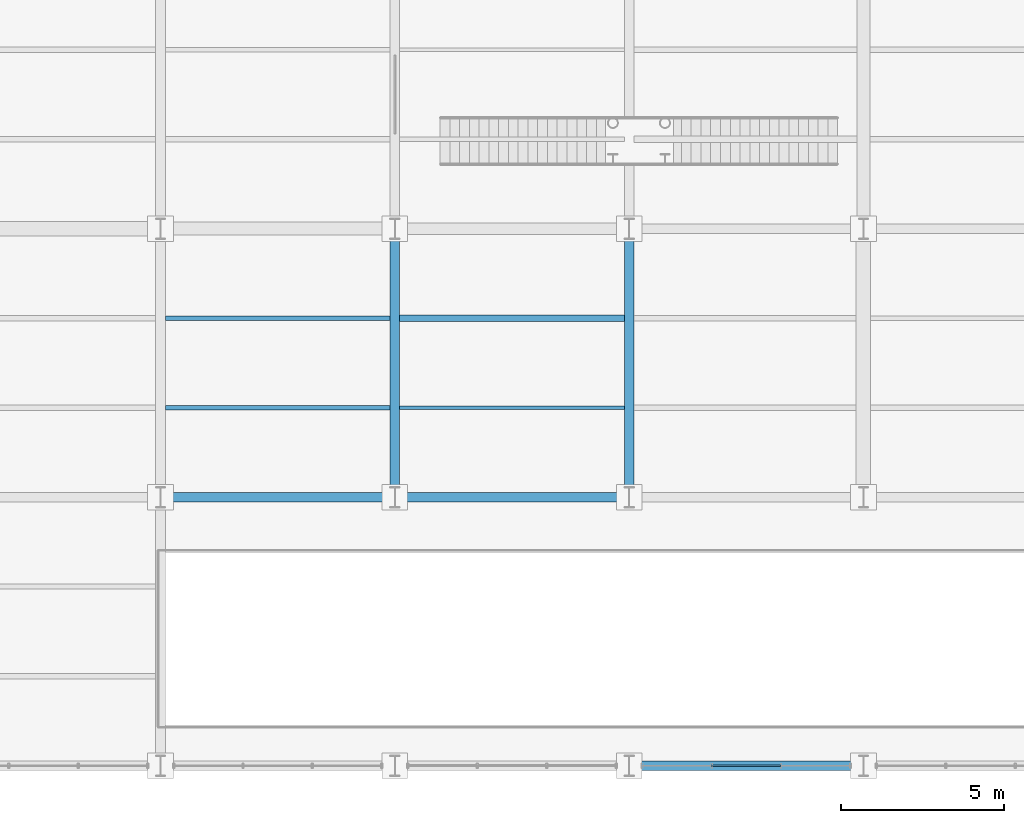
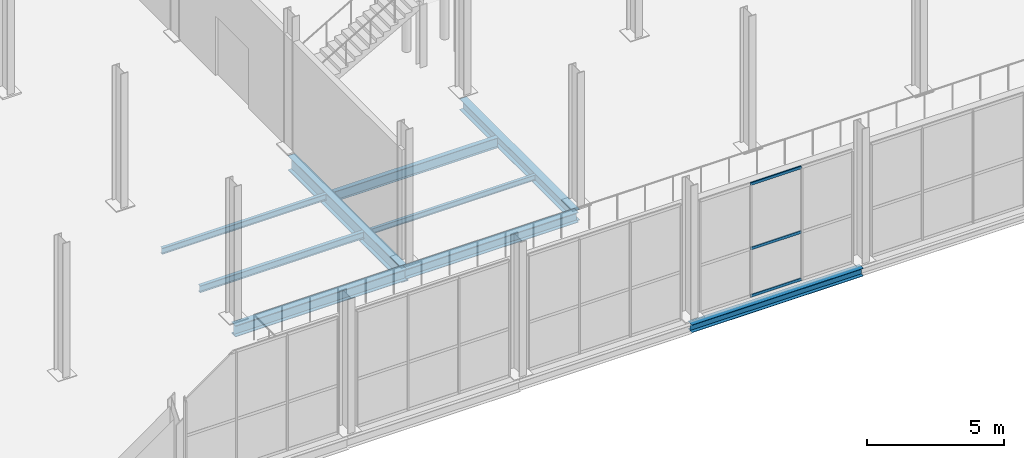
# One storey, part 79 of 144: 9 beams, 3 members, 1 element without a shape of its own.
"""IFC4 building model written with IfcOpenShell, lengths in metres."""

from ifc_helpers import new_model, si_unit, direction, frame, origin, origin_2d, place, context, subcontext, project, spatial, hollow_rectangle, i_section, extrude, material, layer, layer_set, material_profile, profile_set, type_object, element, aggregate, save


model = new_model("IFC4")

# Units and contexts
model_context = context("Model", 3, precision=1e-05, world=origin(), true_north=direction((0.0, 1.0)))
body_context = subcontext(model_context, "Body", "Model", "MODEL_VIEW")
ifc_project = project(units=[si_unit("LENGTHUNIT", "METRE"), si_unit("AREAUNIT", "SQUARE_METRE"), si_unit("VOLUMEUNIT", "CUBIC_METRE"), si_unit("PLANEANGLEUNIT", "RADIAN"), si_unit("MASSUNIT", "GRAM", prefix="KILO")], contexts=[model_context])

# Site, building, storey
site_placement = place(None, origin())
site = spatial("IfcSite", under=ifc_project, at=site_placement, CompositionType="ELEMENT")
building_placement = place(site_placement, origin())
building = spatial("IfcBuilding", under=site, at=building_placement, Name="Sundgate Opera House", CompositionType="ELEMENT")
storey_placement = place(building_placement, origin())
storey = spatial("IfcBuildingStorey", under=building, at=storey_placement, Name="L00", CompositionType="ELEMENT", Elevation=0.0)

# Beams
ifc_material_1 = material(Name="Steel S355J2", Category="steel")
ifc_material_profile_1 = material_profile(ifc_material_1, i_section(OverallWidth=0.300048828125, OverallDepth=0.35009765625, WebThickness=0.010009765625, FlangeThickness=0.017578125, at=origin_2d()), Name="HEA 360")
ifc_profile_set_1 = profile_set([ifc_material_profile_1], Name="Steel S355J2")
beam_type_1 = type_object("IfcBeamType", Name="BM-GR-HEA360", PredefinedType="BEAM", material=ifc_profile_set_1)
beam_1_placement = place(storey_placement, frame((138.60009765625, 0.0, -0.4951171875), z_axis=(1.0, 0.0, 0.0), x_axis=(0.0, 1.0, 0.0)))
element("IfcBeam", 1, at=beam_1_placement, inside=storey, type_object=beam_type_1, Name="L00 Primary E-W Girder B0334", PredefinedType="BEAM", context=body_context, shape_type="SweptSolid", body=[
    extrude(i_section(OverallWidth=0.300048828125, OverallDepth=0.35009765625, WebThickness=0.010009765625, FlangeThickness=0.017578125, at=origin_2d()), origin(), (0.0, 0.0, 1.0), 7.199951171875),
])
ifc_material_2 = material(Name="Steel S355J2", Category="steel")
ifc_material_profile_2 = material_profile(ifc_material_2, i_section(OverallWidth=0.300048828125, OverallDepth=0.489990234375, WebThickness=0.011962890625, FlangeThickness=0.02294921875, at=origin_2d()), Name="HEA 500")
ifc_profile_set_2 = profile_set([ifc_material_profile_2], Name="Steel S355J2")
beam_type_2 = type_object("IfcBeamType", Name="BM-GR-HEA500", PredefinedType="BEAM", material=ifc_profile_set_2)
beam_2_placement = place(storey_placement, frame((138.60009765625, 8.25, -0.56494140625), z_axis=(0.0, 1.0, 0.0), x_axis=(-1.0, 0.0, 0.0)))
element("IfcBeam", 2, at=beam_2_placement, inside=storey, type_object=beam_type_2, Name="L00 Primary N-S Girder B0266", PredefinedType="BEAM", context=body_context, shape_type="SweptSolid", body=[
    extrude(i_section(OverallWidth=0.300048828125, OverallDepth=0.489990234375, WebThickness=0.011962890625, FlangeThickness=0.02294921875, at=origin_2d()), origin(), (0.0, 0.0, 1.0), 8.25),
])
ifc_material_3 = material(Name="Steel S355J2", Category="steel")
ifc_material_profile_3 = material_profile(ifc_material_3, i_section(OverallWidth=0.300048828125, OverallDepth=0.449951171875, WebThickness=0.013916015625, FlangeThickness=0.02587890625, at=origin_2d()), Name="HEB 450")
ifc_profile_set_3 = profile_set([ifc_material_profile_3], Name="Steel S355J2")
beam_type_3 = type_object("IfcBeamType", Name="BM-GR-HEB450", PredefinedType="BEAM", material=ifc_profile_set_3)
beam_3_placement = place(storey_placement, frame((131.39990234375, 8.25, -0.544921875), z_axis=(1.0, 0.0, 0.0), x_axis=(0.0, 1.0, 0.0)))
element("IfcBeam", 3, at=beam_3_placement, inside=storey, type_object=beam_type_3, Name="L00 Primary E-W Girder B0349", PredefinedType="BEAM", context=body_context, shape_type="SweptSolid", body=[
    extrude(i_section(OverallWidth=0.300048828125, OverallDepth=0.449951171875, WebThickness=0.013916015625, FlangeThickness=0.02587890625, at=origin_2d()), origin(), (0.0, 0.0, 1.0), 7.2001953125),
])
ifc_material_4 = material(Name="Steel S355J2", Category="steel")
ifc_material_profile_4 = material_profile(ifc_material_4, i_section(OverallWidth=0.300048828125, OverallDepth=0.5, WebThickness=0.014404296875, FlangeThickness=0.028076171875, at=origin_2d()), Name="HEB 500")
ifc_profile_set_4 = profile_set([ifc_material_profile_4], Name="Steel S355J2")
beam_type_4 = type_object("IfcBeamType", Name="BM-GR-HEB500", PredefinedType="BEAM", material=ifc_profile_set_4)
beam_4_placement = place(storey_placement, frame((124.199951171875, 8.25, -0.570068359375), z_axis=(1.0, 0.0, 0.0), x_axis=(0.0, 1.0, 0.0)))
element("IfcBeam", 4, at=beam_4_placement, inside=storey, type_object=beam_type_4, Name="L00 Primary E-W Girder B0348", PredefinedType="BEAM", context=body_context, shape_type="SweptSolid", body=[
    extrude(i_section(OverallWidth=0.300048828125, OverallDepth=0.5, WebThickness=0.014404296875, FlangeThickness=0.028076171875, at=origin_2d()), origin(), (0.0, 0.0, 1.0), 7.199951171875),
])
ifc_material_5 = material(Name="Steel S355J2", Category="steel")
ifc_material_profile_5 = material_profile(ifc_material_5, i_section(OverallWidth=0.300048828125, OverallDepth=0.64990234375, WebThickness=0.01611328125, FlangeThickness=0.031005859375, at=origin_2d()), Name="HEB 650")
ifc_profile_set_5 = profile_set([ifc_material_profile_5], Name="Steel S355J2")
beam_type_5 = type_object("IfcBeamType", Name="BM-GR-HEB650", PredefinedType="BEAM", material=ifc_profile_set_5)
beam_5_placement = place(storey_placement, frame((131.39990234375, 8.25, -0.64501953125), z_axis=(0.0, 1.0, 0.0), x_axis=(-1.0, 0.0, 0.0)))
element("IfcBeam", 5, at=beam_5_placement, inside=storey, type_object=beam_type_5, Name="L00 Primary N-S Girder B0258", PredefinedType="BEAM", context=body_context, shape_type="SweptSolid", body=[
    extrude(i_section(OverallWidth=0.300048828125, OverallDepth=0.64990234375, WebThickness=0.01611328125, FlangeThickness=0.031005859375, at=origin_2d()), origin(), (0.0, 0.0, 1.0), 8.25),
])
ifc_material_6 = material(Name="Steel S355J2", Category="steel")
ifc_material_profile_6 = material_profile(ifc_material_6, i_section(OverallWidth=0.1201171875, OverallDepth=0.239990234375, WebThickness=0.006103515625, FlangeThickness=0.009765625, at=origin_2d()), Name="IPE 240")
ifc_profile_set_6 = profile_set([ifc_material_profile_6], Name="Steel S355J2")
beam_type_6 = type_object("IfcBeamType", Name="BM-JS-IPE240", PredefinedType="JOIST", material=ifc_profile_set_6)
beam_6_placement = place(storey_placement, frame((131.550048828125, 11.0, -0.43994140625), z_axis=(1.0, 0.0, 0.0), x_axis=(0.0, 1.0, 0.0)))
element("IfcBeam", 6, at=beam_6_placement, inside=storey, type_object=beam_type_6, Name="L00 Secondary Floor Joist B0643", PredefinedType="JOIST", context=body_context, shape_type="SweptSolid", body=[
    extrude(i_section(OverallWidth=0.1201171875, OverallDepth=0.239990234375, WebThickness=0.006103515625, FlangeThickness=0.009765625, at=origin_2d()), origin(), (0.0, 0.0, 1.0), 6.89990234375),
])
ifc_material_7 = material(Name="Steel S355J2", Category="steel")
ifc_material_profile_7 = material_profile(ifc_material_7, i_section(OverallWidth=0.135009765625, OverallDepth=0.27001953125, WebThickness=0.006591796875, FlangeThickness=0.01025390625, at=origin_2d()), Name="IPE 270")
ifc_profile_set_7 = profile_set([ifc_material_profile_7], Name="Steel S355J2")
beam_type_7 = type_object("IfcBeamType", Name="BM-JS-IPE270", PredefinedType="JOIST", material=ifc_profile_set_7)
beam_7_placement = place(storey_placement, frame((124.35009765625, 13.75, -0.455078125), z_axis=(1.0, 0.0, 0.0), x_axis=(0.0, 1.0, 0.0)))
element("IfcBeam", 7, at=beam_7_placement, inside=storey, type_object=beam_type_7, Name="L00 Secondary Floor Joist B0642", PredefinedType="JOIST", context=body_context, shape_type="SweptSolid", body=[
    extrude(i_section(OverallWidth=0.135009765625, OverallDepth=0.27001953125, WebThickness=0.006591796875, FlangeThickness=0.01025390625, at=origin_2d()), origin(), (0.0, 0.0, 1.0), 6.89990234375),
])
ifc_material_8 = material(Name="Steel S355J2", Category="steel")
ifc_material_profile_8 = material_profile(ifc_material_8, i_section(OverallWidth=0.14990234375, OverallDepth=0.300048828125, WebThickness=0.007080078125, FlangeThickness=0.0107421875, at=origin_2d()), Name="IPE 300")
ifc_profile_set_8 = profile_set([ifc_material_profile_8], Name="Steel S355J2")
beam_type_8 = type_object("IfcBeamType", Name="BM-JS-IPE300", PredefinedType="JOIST", material=ifc_profile_set_8)
beam_8_placement = place(storey_placement, frame((124.35009765625, 11.0, -0.469970703125), z_axis=(1.0, 0.0, 0.0), x_axis=(0.0, 1.0, 0.0)))
element("IfcBeam", 8, at=beam_8_placement, inside=storey, type_object=beam_type_8, Name="L00 Secondary Floor Joist B0641", PredefinedType="JOIST", context=body_context, shape_type="SweptSolid", body=[
    extrude(i_section(OverallWidth=0.14990234375, OverallDepth=0.300048828125, WebThickness=0.007080078125, FlangeThickness=0.0107421875, at=origin_2d()), origin(), (0.0, 0.0, 1.0), 6.89990234375),
])
ifc_material_9 = material(Name="Steel S355J2", Category="steel")
ifc_material_profile_9 = material_profile(ifc_material_9, i_section(OverallWidth=0.18994140625, OverallDepth=0.449951171875, WebThickness=0.009521484375, FlangeThickness=0.0146484375, at=origin_2d()), Name="IPE 450")
ifc_profile_set_9 = profile_set([ifc_material_profile_9], Name="Steel S355J2")
beam_type_9 = type_object("IfcBeamType", Name="BM-JS-IPE450", PredefinedType="JOIST", material=ifc_profile_set_9)
beam_9_placement = place(storey_placement, frame((131.550048828125, 13.75, -0.544921875), z_axis=(1.0, 0.0, 0.0), x_axis=(0.0, 1.0, 0.0)))
element("IfcBeam", 9, at=beam_9_placement, inside=storey, type_object=beam_type_9, Name="L00 Secondary Floor Joist B0644", PredefinedType="JOIST", context=body_context, shape_type="SweptSolid", body=[
    extrude(i_section(OverallWidth=0.18994140625, OverallDepth=0.449951171875, WebThickness=0.009521484375, FlangeThickness=0.0146484375, at=origin_2d()), origin(), (0.0, 0.0, 1.0), 6.89990234375),
])

# Curtain wall, members
ifc_material_10 = material(Name="Anodized aluminium and low-iron glass", Category="aluminium")
ifc_layer = layer(ifc_material_10, 0.14990234375)
ifc_layer_set = layer_set([ifc_layer], Name="Anodized aluminium and low-iron glass")
curtain_wall_type = type_object("IfcCurtainWallType", Name="CW-WORKSHOP-DARK", PredefinedType="NOTDEFINED", material=ifc_layer_set)
curtain_wall_placement = place(storey_placement, origin())
curtain_wall = element("IfcCurtainWall", 10, at=curtain_wall_placement, inside=storey, type_object=curtain_wall_type, Name="L00 Curtain Wall CW126", PredefinedType="NOTDEFINED")
ifc_material_11 = material(Name="Anodized aluminium EN AW-6063", Category="aluminium")
ifc_material_profile_10 = material_profile(ifc_material_11, hollow_rectangle(XDim=0.054931640625, YDim=0.1201171875, WallThickness=0.00390625, at=origin_2d()), Name="CWT 120x55x4")
ifc_profile_set_10 = profile_set([ifc_material_profile_10], Name="Anodized aluminium EN AW-6063")
member_type = type_object("IfcMemberType", Name="CWT-ALU-120x55", PredefinedType="USERDEFINED", material=ifc_profile_set_10)
member_1_placement = place(storey_placement, frame((143.2666015625, 0.0, 0.0), z_axis=(-1.0, 0.0, 0.0), x_axis=(0.0, -1.0, 0.0)))
member_1 = element("IfcMember", 11, at=member_1_placement, type_object=member_type, Name="CW126 Transom 4", ObjectType="TRANSOM", PredefinedType="USERDEFINED", context=body_context, shape_type="SweptSolid", body=[
    extrude(hollow_rectangle(XDim=0.054931640625, YDim=0.1201171875, WallThickness=0.00390625, at=origin_2d()), origin(), (0.0, 0.0, 1.0), 2.13330078125),
])
member_2_placement = place(storey_placement, frame((143.2666015625, 0.0, 2.10009765625), z_axis=(-1.0, 0.0, 0.0), x_axis=(0.0, -1.0, 0.0)))
member_2 = element("IfcMember", 12, at=member_2_placement, type_object=member_type, Name="CW126 Transom 5", ObjectType="TRANSOM", PredefinedType="USERDEFINED", context=body_context, shape_type="SweptSolid", body=[
    extrude(hollow_rectangle(XDim=0.054931640625, YDim=0.1201171875, WallThickness=0.00390625, at=origin_2d()), origin(), (0.0, 0.0, 1.0), 2.13330078125),
])
member_3_placement = place(storey_placement, frame((143.2666015625, 0.0, 4.965087890625), z_axis=(-1.0, 0.0, 0.0), x_axis=(0.0, -1.0, 0.0)))
member_3 = element("IfcMember", 13, at=member_3_placement, type_object=member_type, Name="CW126 Transom 6", ObjectType="TRANSOM", PredefinedType="USERDEFINED", context=body_context, shape_type="SweptSolid", body=[
    extrude(hollow_rectangle(XDim=0.054931640625, YDim=0.1201171875, WallThickness=0.00390625, at=origin_2d()), origin(), (0.0, 0.0, 1.0), 2.13330078125),
])
aggregate(curtain_wall, [member_1, member_2, member_3])

save(model, "model.ifc")
